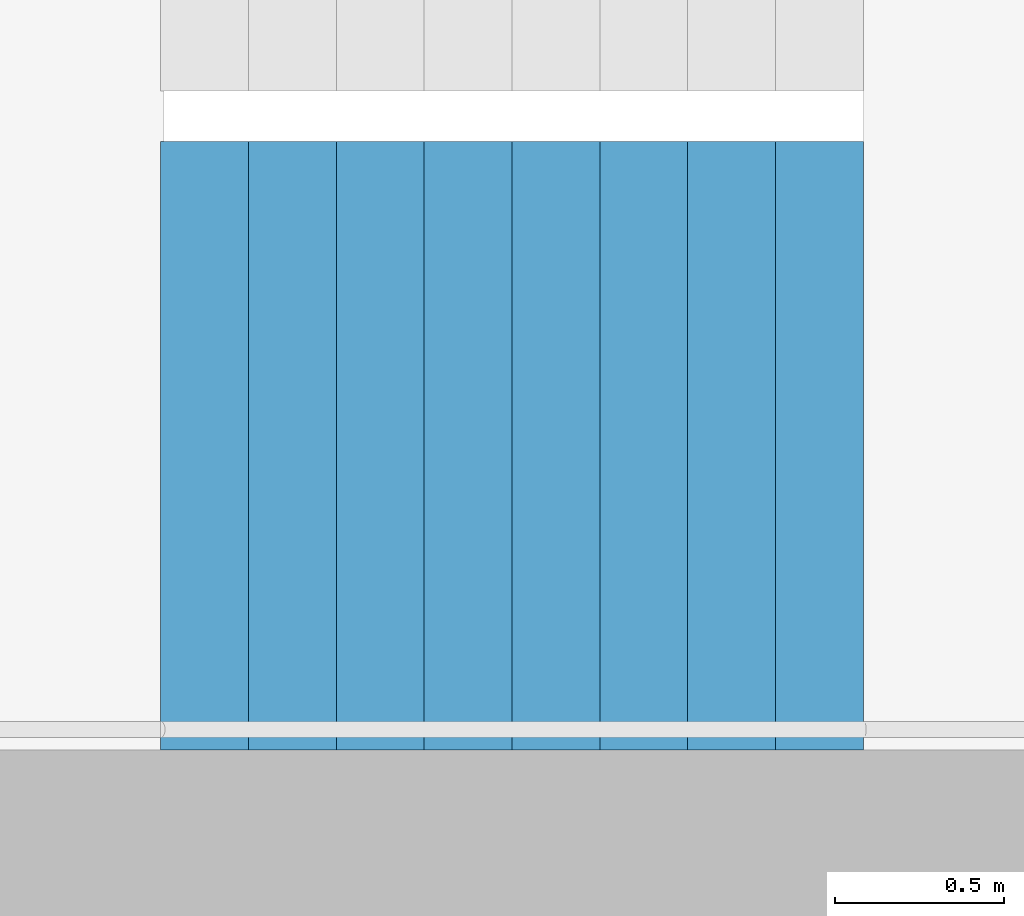
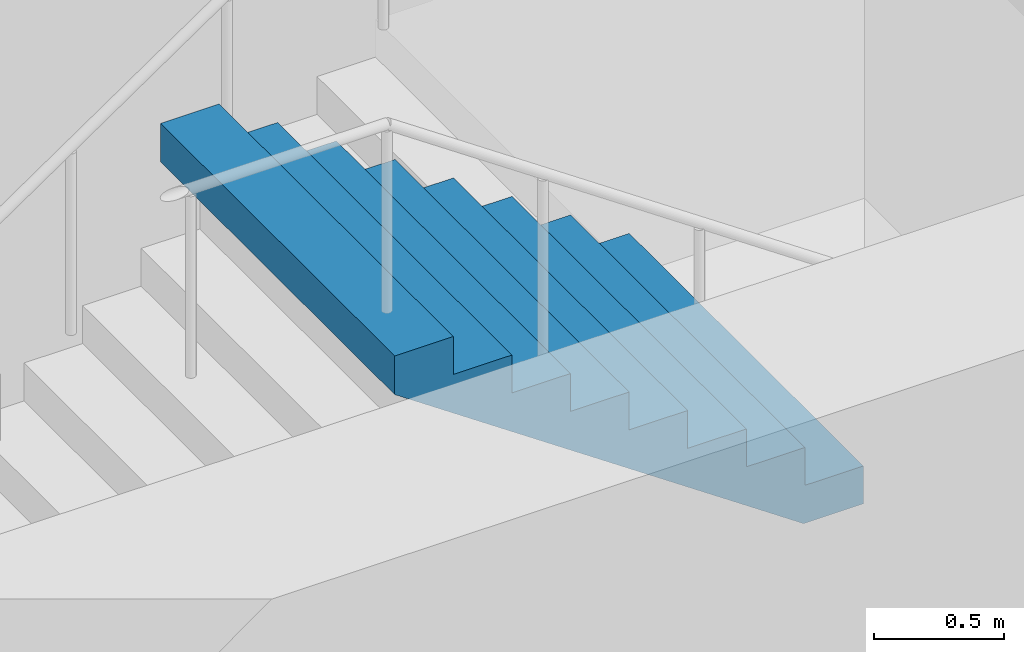
# One storey, part 24 of 28: 1 stair flight, 1 element without a shape of its own.
"""IFC4 building model written with IfcOpenShell, lengths in metres."""

from ifc_helpers import new_model, si_unit, direction, frame, origin, place, context, subcontext, project, spatial, triangles, material, type_object, element, aggregate, save


model = new_model("IFC4")

# Units and contexts
model_context = context("Model", 3, precision=1e-05, world=origin(), true_north=direction((0.0, 1.0)))
body_context = subcontext(model_context, "Body", "Model", "MODEL_VIEW")
ifc_project = project(units=[si_unit("LENGTHUNIT", "METRE"), si_unit("AREAUNIT", "SQUARE_METRE"), si_unit("VOLUMEUNIT", "CUBIC_METRE"), si_unit("PLANEANGLEUNIT", "RADIAN"), si_unit("MASSUNIT", "GRAM", prefix="KILO")], contexts=[model_context])

# Site, building, storey
site_placement = place(None, origin())
site = spatial("IfcSite", under=ifc_project, at=site_placement, CompositionType="ELEMENT")
building_placement = place(site_placement, origin())
building = spatial("IfcBuilding", under=site, at=building_placement, Name="Hakoniwa Tower and Hamabe Station Hall", CompositionType="ELEMENT")
storey_placement = place(building_placement, frame((0.0, 0.0, 42.199951171875)))
storey = spatial("IfcBuildingStorey", under=building, at=storey_placement, Name="L11", CompositionType="ELEMENT", Elevation=42.199951171875)

# Stair, stair flight
ifc_material_1 = material(Name="Concrete C40", Category="concrete")
stair_type = type_object("IfcStairType", Name="ESCAPE STAIR 1800", PredefinedType="HALF_TURN_STAIR", material=ifc_material_1)
stair_placement = place(storey_placement, origin())
stair = element("IfcStair", 1, at=stair_placement, inside=storey, type_object=stair_type, Name="Escape stair ST-4 L11", PredefinedType="HALF_TURN_STAIR")
ifc_material_2 = material(Name="Concrete C40", Category="concrete")
stair_flight_type = type_object("IfcStairFlightType", Name="STAIR FLIGHT 1800", PredefinedType="STRAIGHT", material=ifc_material_2)
stair_flight_placement = place(storey_placement, frame((25.47998046875, -6.60009765625, 1.60009765625), z_axis=(0.0, 0.0, 1.0), x_axis=(-1.0, 0.0, 0.0)))
stair_flight = element("IfcStairFlight", 2, at=stair_flight_placement, type_object=stair_flight_type, Name="ST-4 flight 2", NumberOfRisers=9, NumberOfTreads=8, PredefinedType="STRAIGHT", RiserHeight=0.177777778, TreadLength=0.26, context=body_context, shape_type="Tessellation", body=[
    triangles([(0.0, 0.89990234375, 0.0), (0.260009765625, 0.89990234375, 0.0), (0.265625, 0.89990234375, 0.0), (0.52001953125, 0.89990234375, 0.174072265625), (0.780029296875, 0.89990234375, 0.351806640625), (1.0400390625, 0.89990234375, 0.529541015625), (1.300048828125, 0.89990234375, 0.707275390625), (1.56005859375, 0.89990234375, 0.885009765625), (1.820068359375, 0.89990234375, 1.062744140625), (2.080078125, 0.89990234375, 1.24072265625), (2.080078125, 0.89990234375, 1.422119140625), (1.820068359375, 0.89990234375, 1.422119140625), (1.820068359375, 0.89990234375, 1.244384765625), (1.56005859375, 0.89990234375, 1.244384765625), (1.56005859375, 0.89990234375, 1.066650390625), (1.300048828125, 0.89990234375, 1.066650390625), (1.300048828125, 0.89990234375, 0.888916015625), (1.0400390625, 0.89990234375, 0.888916015625), (1.0400390625, 0.89990234375, 0.711181640625), (0.780029296875, 0.89990234375, 0.711181640625), (0.780029296875, 0.89990234375, 0.533447265625), (0.52001953125, 0.89990234375, 0.533447265625), (0.52001953125, 0.89990234375, 0.35546875), (0.265625, 0.89990234375, 0.35546875), (0.260009765625, 0.89990234375, 0.35546875), (0.260009765625, 0.89990234375, 0.177734375), (0.0, 0.89990234375, 0.177734375), (0.0, 0.06005859375, 0.0), (0.260009765625, 0.06005859375, 0.0), (0.265625, 0.06005859375, 0.0), (0.52001953125, 0.06005859375, 0.174072265625), (0.780029296875, 0.06005859375, 0.351806640625), (1.0400390625, 0.06005859375, 0.529541015625), (1.300048828125, 0.06005859375, 0.707275390625), (1.56005859375, 0.06005859375, 0.885009765625), (1.820068359375, 0.06005859375, 1.062744140625), (2.080078125, 0.06005859375, 1.24072265625), (2.080078125, 0.06005859375, 1.422119140625), (1.820068359375, 0.06005859375, 1.422119140625), (1.820068359375, 0.06005859375, 1.244384765625), (1.56005859375, 0.06005859375, 1.244384765625), (1.56005859375, 0.06005859375, 1.066650390625), (1.300048828125, 0.06005859375, 1.066650390625), (1.300048828125, 0.06005859375, 0.888916015625), (1.0400390625, 0.06005859375, 0.888916015625), (1.0400390625, 0.06005859375, 0.711181640625), (0.780029296875, 0.06005859375, 0.711181640625), (0.780029296875, 0.06005859375, 0.533447265625), (0.52001953125, 0.06005859375, 0.533447265625), (0.52001953125, 0.06005859375, 0.35546875), (0.265625, 0.06005859375, 0.35546875), (0.260009765625, 0.06005859375, 0.35546875), (0.260009765625, 0.06005859375, 0.177734375), (0.0, 0.06005859375, 0.177734375), (0.0, 0.04296875, 0.0), (0.260009765625, 0.04296875, 0.0), (0.265625, 0.04296875, 0.0), (0.52001953125, 0.04296875, 0.174072265625), (0.780029296875, 0.04296875, 0.351806640625), (1.0400390625, 0.04296875, 0.529541015625), (1.300048828125, 0.04296875, 0.707275390625), (1.56005859375, 0.04296875, 0.885009765625), (1.820068359375, 0.04296875, 1.062744140625), (2.080078125, 0.04296875, 1.24072265625), (2.080078125, 0.04296875, 1.422119140625), (1.820068359375, 0.04296875, 1.422119140625), (1.820068359375, 0.04296875, 1.244384765625), (1.56005859375, 0.04296875, 1.244384765625), (1.56005859375, 0.04296875, 1.066650390625), (1.300048828125, 0.04296875, 1.066650390625), (1.300048828125, 0.04296875, 0.888916015625), (1.0400390625, 0.04296875, 0.888916015625), (1.0400390625, 0.04296875, 0.711181640625), (0.780029296875, 0.04296875, 0.711181640625), (0.780029296875, 0.04296875, 0.533447265625), (0.52001953125, 0.04296875, 0.533447265625), (0.52001953125, 0.04296875, 0.35546875), (0.265625, 0.04296875, 0.35546875), (0.260009765625, 0.04296875, 0.35546875), (0.260009765625, 0.04296875, 0.177734375), (0.0, 0.04296875, 0.177734375), (0.0, 0.025634765625, 0.0), (0.260009765625, 0.025634765625, 0.0), (0.265625, 0.025634765625, 0.0), (0.52001953125, 0.025634765625, 0.174072265625), (0.780029296875, 0.025634765625, 0.351806640625), (1.0400390625, 0.025634765625, 0.529541015625), (1.300048828125, 0.025634765625, 0.707275390625), (1.56005859375, 0.025634765625, 0.885009765625), (1.820068359375, 0.025634765625, 1.062744140625), (2.080078125, 0.025634765625, 1.24072265625), (2.080078125, 0.025634765625, 1.422119140625), (1.820068359375, 0.025634765625, 1.422119140625), (1.820068359375, 0.025634765625, 1.244384765625), (1.56005859375, 0.025634765625, 1.244384765625), (1.56005859375, 0.025634765625, 1.066650390625), (1.300048828125, 0.025634765625, 1.066650390625), (1.300048828125, 0.025634765625, 0.888916015625), (1.0400390625, 0.025634765625, 0.888916015625), (1.0400390625, 0.025634765625, 0.711181640625), (0.780029296875, 0.025634765625, 0.711181640625), (0.780029296875, 0.025634765625, 0.533447265625), (0.52001953125, 0.025634765625, 0.533447265625), (0.52001953125, 0.025634765625, 0.35546875), (0.265625, 0.025634765625, 0.35546875), (0.260009765625, 0.025634765625, 0.35546875), (0.260009765625, 0.025634765625, 0.177734375), (0.0, 0.025634765625, 0.177734375), (0.0, 0.008544921875, 0.0), (0.260009765625, 0.008544921875, 0.0), (0.265625, 0.008544921875, 0.0), (0.52001953125, 0.008544921875, 0.174072265625), (0.780029296875, 0.008544921875, 0.351806640625), (1.0400390625, 0.008544921875, 0.529541015625), (1.300048828125, 0.008544921875, 0.707275390625), (1.56005859375, 0.008544921875, 0.885009765625), (1.820068359375, 0.008544921875, 1.062744140625), (2.080078125, 0.008544921875, 1.24072265625), (2.080078125, 0.008544921875, 1.422119140625), (1.820068359375, 0.008544921875, 1.422119140625), (1.820068359375, 0.008544921875, 1.244384765625), (1.56005859375, 0.008544921875, 1.244384765625), (1.56005859375, 0.008544921875, 1.066650390625), (1.300048828125, 0.008544921875, 1.066650390625), (1.300048828125, 0.008544921875, 0.888916015625), (1.0400390625, 0.008544921875, 0.888916015625), (1.0400390625, 0.008544921875, 0.711181640625), (0.780029296875, 0.008544921875, 0.711181640625), (0.780029296875, 0.008544921875, 0.533447265625), (0.52001953125, 0.008544921875, 0.533447265625), (0.52001953125, 0.008544921875, 0.35546875), (0.265625, 0.008544921875, 0.35546875), (0.260009765625, 0.008544921875, 0.35546875), (0.260009765625, 0.008544921875, 0.177734375), (0.0, 0.008544921875, 0.177734375), (0.0, -0.008544921875, 0.0), (0.260009765625, -0.008544921875, 0.0), (0.265625, -0.008544921875, 0.0), (0.52001953125, -0.008544921875, 0.174072265625), (0.780029296875, -0.008544921875, 0.351806640625), (1.0400390625, -0.008544921875, 0.529541015625), (1.300048828125, -0.008544921875, 0.707275390625), (1.56005859375, -0.008544921875, 0.885009765625), (1.820068359375, -0.008544921875, 1.062744140625), (2.080078125, -0.008544921875, 1.24072265625), (2.080078125, -0.008544921875, 1.422119140625), (1.820068359375, -0.008544921875, 1.422119140625), (1.820068359375, -0.008544921875, 1.244384765625), (1.56005859375, -0.008544921875, 1.244384765625), (1.56005859375, -0.008544921875, 1.066650390625), (1.300048828125, -0.008544921875, 1.066650390625), (1.300048828125, -0.008544921875, 0.888916015625), (1.0400390625, -0.008544921875, 0.888916015625), (1.0400390625, -0.008544921875, 0.711181640625), (0.780029296875, -0.008544921875, 0.711181640625), (0.780029296875, -0.008544921875, 0.533447265625), (0.52001953125, -0.008544921875, 0.533447265625), (0.52001953125, -0.008544921875, 0.35546875), (0.265625, -0.008544921875, 0.35546875), (0.260009765625, -0.008544921875, 0.35546875), (0.260009765625, -0.008544921875, 0.177734375), (0.0, -0.008544921875, 0.177734375), (0.0, -0.025634765625, 0.0), (0.260009765625, -0.025634765625, 0.0), (0.265625, -0.025634765625, 0.0), (0.52001953125, -0.025634765625, 0.174072265625), (0.780029296875, -0.025634765625, 0.351806640625), (1.0400390625, -0.025634765625, 0.529541015625), (1.300048828125, -0.025634765625, 0.707275390625), (1.56005859375, -0.025634765625, 0.885009765625), (1.820068359375, -0.025634765625, 1.062744140625), (2.080078125, -0.025634765625, 1.24072265625), (2.080078125, -0.025634765625, 1.422119140625), (1.820068359375, -0.025634765625, 1.422119140625), (1.820068359375, -0.025634765625, 1.244384765625), (1.56005859375, -0.025634765625, 1.244384765625), (1.56005859375, -0.025634765625, 1.066650390625), (1.300048828125, -0.025634765625, 1.066650390625), (1.300048828125, -0.025634765625, 0.888916015625), (1.0400390625, -0.025634765625, 0.888916015625), (1.0400390625, -0.025634765625, 0.711181640625), (0.780029296875, -0.025634765625, 0.711181640625), (0.780029296875, -0.025634765625, 0.533447265625), (0.52001953125, -0.025634765625, 0.533447265625), (0.52001953125, -0.025634765625, 0.35546875), (0.265625, -0.025634765625, 0.35546875), (0.260009765625, -0.025634765625, 0.35546875), (0.260009765625, -0.025634765625, 0.177734375), (0.0, -0.025634765625, 0.177734375), (0.0, -0.04296875, 0.0), (0.260009765625, -0.04296875, 0.0), (0.265625, -0.04296875, 0.0), (0.52001953125, -0.04296875, 0.174072265625), (0.780029296875, -0.04296875, 0.351806640625), (1.0400390625, -0.04296875, 0.529541015625), (1.300048828125, -0.04296875, 0.707275390625), (1.56005859375, -0.04296875, 0.885009765625), (1.820068359375, -0.04296875, 1.062744140625), (2.080078125, -0.04296875, 1.24072265625), (2.080078125, -0.04296875, 1.422119140625), (1.820068359375, -0.04296875, 1.422119140625), (1.820068359375, -0.04296875, 1.244384765625), (1.56005859375, -0.04296875, 1.244384765625), (1.56005859375, -0.04296875, 1.066650390625), (1.300048828125, -0.04296875, 1.066650390625), (1.300048828125, -0.04296875, 0.888916015625), (1.0400390625, -0.04296875, 0.888916015625), (1.0400390625, -0.04296875, 0.711181640625), (0.780029296875, -0.04296875, 0.711181640625), (0.780029296875, -0.04296875, 0.533447265625), (0.52001953125, -0.04296875, 0.533447265625), (0.52001953125, -0.04296875, 0.35546875), (0.265625, -0.04296875, 0.35546875), (0.260009765625, -0.04296875, 0.35546875), (0.260009765625, -0.04296875, 0.177734375), (0.0, -0.04296875, 0.177734375), (0.0, -0.06005859375, 0.0), (0.260009765625, -0.06005859375, 0.0), (0.265625, -0.06005859375, 0.0), (0.52001953125, -0.06005859375, 0.174072265625), (0.780029296875, -0.06005859375, 0.351806640625), (1.0400390625, -0.06005859375, 0.529541015625), (1.300048828125, -0.06005859375, 0.707275390625), (1.56005859375, -0.06005859375, 0.885009765625), (1.820068359375, -0.06005859375, 1.062744140625), (2.080078125, -0.06005859375, 1.24072265625), (2.080078125, -0.06005859375, 1.422119140625), (1.820068359375, -0.06005859375, 1.422119140625), (1.820068359375, -0.06005859375, 1.244384765625), (1.56005859375, -0.06005859375, 1.244384765625), (1.56005859375, -0.06005859375, 1.066650390625), (1.300048828125, -0.06005859375, 1.066650390625), (1.300048828125, -0.06005859375, 0.888916015625), (1.0400390625, -0.06005859375, 0.888916015625), (1.0400390625, -0.06005859375, 0.711181640625), (0.780029296875, -0.06005859375, 0.711181640625), (0.780029296875, -0.06005859375, 0.533447265625), (0.52001953125, -0.06005859375, 0.533447265625), (0.52001953125, -0.06005859375, 0.35546875), (0.265625, -0.06005859375, 0.35546875), (0.260009765625, -0.06005859375, 0.35546875), (0.260009765625, -0.06005859375, 0.177734375), (0.0, -0.06005859375, 0.177734375), (0.0, -0.89990234375, 0.0), (0.260009765625, -0.89990234375, 0.0), (0.265625, -0.89990234375, 0.0), (0.52001953125, -0.89990234375, 0.174072265625), (0.780029296875, -0.89990234375, 0.351806640625), (1.0400390625, -0.89990234375, 0.529541015625), (1.300048828125, -0.89990234375, 0.707275390625), (1.56005859375, -0.89990234375, 0.885009765625), (1.820068359375, -0.89990234375, 1.062744140625), (2.080078125, -0.89990234375, 1.24072265625), (2.080078125, -0.89990234375, 1.422119140625), (1.820068359375, -0.89990234375, 1.422119140625), (1.820068359375, -0.89990234375, 1.244384765625), (1.56005859375, -0.89990234375, 1.244384765625), (1.56005859375, -0.89990234375, 1.066650390625), (1.300048828125, -0.89990234375, 1.066650390625), (1.300048828125, -0.89990234375, 0.888916015625), (1.0400390625, -0.89990234375, 0.888916015625), (1.0400390625, -0.89990234375, 0.711181640625), (0.780029296875, -0.89990234375, 0.711181640625), (0.780029296875, -0.89990234375, 0.533447265625), (0.52001953125, -0.89990234375, 0.533447265625), (0.52001953125, -0.89990234375, 0.35546875), (0.265625, -0.89990234375, 0.35546875), (0.260009765625, -0.89990234375, 0.35546875), (0.260009765625, -0.89990234375, 0.177734375), (0.0, -0.89990234375, 0.177734375)], [[2, 27, 26], [245, 269, 270], [2, 1, 27], [245, 270, 244], [3, 25, 24], [246, 267, 268], [3, 26, 25], [246, 268, 269], [3, 2, 26], [246, 269, 245], [4, 24, 23], [247, 266, 267], [4, 3, 24], [247, 267, 246], [5, 22, 21], [248, 264, 265], [5, 23, 22], [248, 265, 266], [5, 4, 23], [248, 266, 247], [6, 20, 19], [249, 262, 263], [6, 21, 20], [249, 263, 264], [6, 5, 21], [249, 264, 248], [7, 18, 17], [250, 260, 261], [7, 19, 18], [250, 261, 262], [7, 6, 19], [250, 262, 249], [8, 16, 15], [251, 258, 259], [8, 17, 16], [251, 259, 260], [8, 7, 17], [251, 260, 250], [9, 14, 13], [252, 256, 257], [9, 15, 14], [252, 257, 258], [9, 8, 15], [252, 258, 251], [10, 12, 11], [253, 254, 255], [10, 13, 12], [253, 255, 256], [10, 9, 13], [253, 256, 252], [1, 2, 29], [1, 29, 28], [28, 29, 56], [28, 56, 55], [55, 56, 83], [55, 83, 82], [82, 83, 110], [82, 110, 109], [109, 110, 137], [109, 137, 136], [136, 137, 164], [136, 164, 163], [163, 164, 191], [163, 191, 190], [190, 191, 218], [190, 218, 217], [217, 218, 245], [217, 245, 244], [2, 3, 30], [2, 30, 29], [29, 30, 57], [29, 57, 56], [56, 57, 84], [56, 84, 83], [83, 84, 111], [83, 111, 110], [110, 111, 138], [110, 138, 137], [137, 138, 165], [137, 165, 164], [164, 165, 192], [164, 192, 191], [191, 192, 219], [191, 219, 218], [218, 219, 246], [218, 246, 245], [3, 4, 31], [3, 31, 30], [30, 31, 58], [30, 58, 57], [57, 58, 85], [57, 85, 84], [84, 85, 112], [84, 112, 111], [111, 112, 139], [111, 139, 138], [138, 139, 166], [138, 166, 165], [165, 166, 193], [165, 193, 192], [192, 193, 220], [192, 220, 219], [219, 220, 247], [219, 247, 246], [4, 5, 32], [4, 32, 31], [31, 32, 59], [31, 59, 58], [58, 59, 86], [58, 86, 85], [85, 86, 113], [85, 113, 112], [112, 113, 140], [112, 140, 139], [139, 140, 167], [139, 167, 166], [166, 167, 194], [166, 194, 193], [193, 194, 221], [193, 221, 220], [220, 221, 248], [220, 248, 247], [5, 6, 33], [5, 33, 32], [32, 33, 60], [32, 60, 59], [59, 60, 87], [59, 87, 86], [86, 87, 114], [86, 114, 113], [113, 114, 141], [113, 141, 140], [140, 141, 168], [140, 168, 167], [167, 168, 195], [167, 195, 194], [194, 195, 222], [194, 222, 221], [221, 222, 249], [221, 249, 248], [6, 7, 34], [6, 34, 33], [33, 34, 61], [33, 61, 60], [60, 61, 88], [60, 88, 87], [87, 88, 115], [87, 115, 114], [114, 115, 142], [114, 142, 141], [141, 142, 169], [141, 169, 168], [168, 169, 196], [168, 196, 195], [195, 196, 223], [195, 223, 222], [222, 223, 250], [222, 250, 249], [7, 8, 35], [7, 35, 34], [34, 35, 62], [34, 62, 61], [61, 62, 89], [61, 89, 88], [88, 89, 116], [88, 116, 115], [115, 116, 143], [115, 143, 142], [142, 143, 170], [142, 170, 169], [169, 170, 197], [169, 197, 196], [196, 197, 224], [196, 224, 223], [223, 224, 251], [223, 251, 250], [8, 9, 36], [8, 36, 35], [35, 36, 63], [35, 63, 62], [62, 63, 90], [62, 90, 89], [89, 90, 117], [89, 117, 116], [116, 117, 144], [116, 144, 143], [143, 144, 171], [143, 171, 170], [170, 171, 198], [170, 198, 197], [197, 198, 225], [197, 225, 224], [224, 225, 252], [224, 252, 251], [9, 10, 37], [9, 37, 36], [36, 37, 64], [36, 64, 63], [63, 64, 91], [63, 91, 90], [90, 91, 118], [90, 118, 117], [117, 118, 145], [117, 145, 144], [144, 145, 172], [144, 172, 171], [171, 172, 199], [171, 199, 198], [198, 199, 226], [198, 226, 225], [225, 226, 253], [225, 253, 252], [10, 11, 38], [10, 38, 37], [37, 38, 65], [37, 65, 64], [64, 65, 92], [64, 92, 91], [91, 92, 119], [91, 119, 118], [118, 119, 146], [118, 146, 145], [145, 146, 173], [145, 173, 172], [172, 173, 200], [172, 200, 199], [199, 200, 227], [199, 227, 226], [226, 227, 254], [226, 254, 253], [11, 12, 39], [11, 39, 38], [38, 39, 66], [38, 66, 65], [65, 66, 93], [65, 93, 92], [92, 93, 120], [92, 120, 119], [119, 120, 147], [119, 147, 146], [146, 147, 174], [146, 174, 173], [173, 174, 201], [173, 201, 200], [200, 201, 228], [200, 228, 227], [227, 228, 255], [227, 255, 254], [12, 13, 40], [12, 40, 39], [39, 40, 67], [39, 67, 66], [66, 67, 94], [66, 94, 93], [93, 94, 121], [93, 121, 120], [120, 121, 148], [120, 148, 147], [147, 148, 175], [147, 175, 174], [174, 175, 202], [174, 202, 201], [201, 202, 229], [201, 229, 228], [228, 229, 256], [228, 256, 255], [13, 14, 41], [13, 41, 40], [40, 41, 68], [40, 68, 67], [67, 68, 95], [67, 95, 94], [94, 95, 122], [94, 122, 121], [121, 122, 149], [121, 149, 148], [148, 149, 176], [148, 176, 175], [175, 176, 203], [175, 203, 202], [202, 203, 230], [202, 230, 229], [229, 230, 257], [229, 257, 256], [14, 15, 42], [14, 42, 41], [41, 42, 69], [41, 69, 68], [68, 69, 96], [68, 96, 95], [95, 96, 123], [95, 123, 122], [122, 123, 150], [122, 150, 149], [149, 150, 177], [149, 177, 176], [176, 177, 204], [176, 204, 203], [203, 204, 231], [203, 231, 230], [230, 231, 258], [230, 258, 257], [15, 16, 43], [15, 43, 42], [42, 43, 70], [42, 70, 69], [69, 70, 97], [69, 97, 96], [96, 97, 124], [96, 124, 123], [123, 124, 151], [123, 151, 150], [150, 151, 178], [150, 178, 177], [177, 178, 205], [177, 205, 204], [204, 205, 232], [204, 232, 231], [231, 232, 259], [231, 259, 258], [16, 17, 44], [16, 44, 43], [43, 44, 71], [43, 71, 70], [70, 71, 98], [70, 98, 97], [97, 98, 125], [97, 125, 124], [124, 125, 152], [124, 152, 151], [151, 152, 179], [151, 179, 178], [178, 179, 206], [178, 206, 205], [205, 206, 233], [205, 233, 232], [232, 233, 260], [232, 260, 259], [17, 18, 45], [17, 45, 44], [44, 45, 72], [44, 72, 71], [71, 72, 99], [71, 99, 98], [98, 99, 126], [98, 126, 125], [125, 126, 153], [125, 153, 152], [152, 153, 180], [152, 180, 179], [179, 180, 207], [179, 207, 206], [206, 207, 234], [206, 234, 233], [233, 234, 261], [233, 261, 260], [18, 19, 46], [18, 46, 45], [45, 46, 73], [45, 73, 72], [72, 73, 100], [72, 100, 99], [99, 100, 127], [99, 127, 126], [126, 127, 154], [126, 154, 153], [153, 154, 181], [153, 181, 180], [180, 181, 208], [180, 208, 207], [207, 208, 235], [207, 235, 234], [234, 235, 262], [234, 262, 261], [19, 20, 47], [19, 47, 46], [46, 47, 74], [46, 74, 73], [73, 74, 101], [73, 101, 100], [100, 101, 128], [100, 128, 127], [127, 128, 155], [127, 155, 154], [154, 155, 182], [154, 182, 181], [181, 182, 209], [181, 209, 208], [208, 209, 236], [208, 236, 235], [235, 236, 263], [235, 263, 262], [20, 21, 48], [20, 48, 47], [47, 48, 75], [47, 75, 74], [74, 75, 102], [74, 102, 101], [101, 102, 129], [101, 129, 128], [128, 129, 156], [128, 156, 155], [155, 156, 183], [155, 183, 182], [182, 183, 210], [182, 210, 209], [209, 210, 237], [209, 237, 236], [236, 237, 264], [236, 264, 263], [21, 22, 49], [21, 49, 48], [48, 49, 76], [48, 76, 75], [75, 76, 103], [75, 103, 102], [102, 103, 130], [102, 130, 129], [129, 130, 157], [129, 157, 156], [156, 157, 184], [156, 184, 183], [183, 184, 211], [183, 211, 210], [210, 211, 238], [210, 238, 237], [237, 238, 265], [237, 265, 264], [22, 23, 50], [22, 50, 49], [49, 50, 77], [49, 77, 76], [76, 77, 104], [76, 104, 103], [103, 104, 131], [103, 131, 130], [130, 131, 158], [130, 158, 157], [157, 158, 185], [157, 185, 184], [184, 185, 212], [184, 212, 211], [211, 212, 239], [211, 239, 238], [238, 239, 266], [238, 266, 265], [23, 24, 51], [23, 51, 50], [50, 51, 78], [50, 78, 77], [77, 78, 105], [77, 105, 104], [104, 105, 132], [104, 132, 131], [131, 132, 159], [131, 159, 158], [158, 159, 186], [158, 186, 185], [185, 186, 213], [185, 213, 212], [212, 213, 240], [212, 240, 239], [239, 240, 267], [239, 267, 266], [24, 25, 52], [24, 52, 51], [51, 52, 79], [51, 79, 78], [78, 79, 106], [78, 106, 105], [105, 106, 133], [105, 133, 132], [132, 133, 160], [132, 160, 159], [159, 160, 187], [159, 187, 186], [186, 187, 214], [186, 214, 213], [213, 214, 241], [213, 241, 240], [240, 241, 268], [240, 268, 267], [25, 26, 53], [25, 53, 52], [52, 53, 80], [52, 80, 79], [79, 80, 107], [79, 107, 106], [106, 107, 134], [106, 134, 133], [133, 134, 161], [133, 161, 160], [160, 161, 188], [160, 188, 187], [187, 188, 215], [187, 215, 214], [214, 215, 242], [214, 242, 241], [241, 242, 269], [241, 269, 268], [26, 27, 54], [26, 54, 53], [53, 54, 81], [53, 81, 80], [80, 81, 108], [80, 108, 107], [107, 108, 135], [107, 135, 134], [134, 135, 162], [134, 162, 161], [161, 162, 189], [161, 189, 188], [188, 189, 216], [188, 216, 215], [215, 216, 243], [215, 243, 242], [242, 243, 270], [242, 270, 269], [27, 1, 28], [27, 28, 54], [54, 28, 55], [54, 55, 81], [81, 55, 82], [81, 82, 108], [108, 82, 109], [108, 109, 135], [135, 109, 136], [135, 136, 162], [162, 136, 163], [162, 163, 189], [189, 163, 190], [189, 190, 216], [216, 190, 217], [216, 217, 243], [243, 217, 244], [243, 244, 270]], closed=True),
])
aggregate(stair, [stair_flight])

save(model, "model.ifc")
